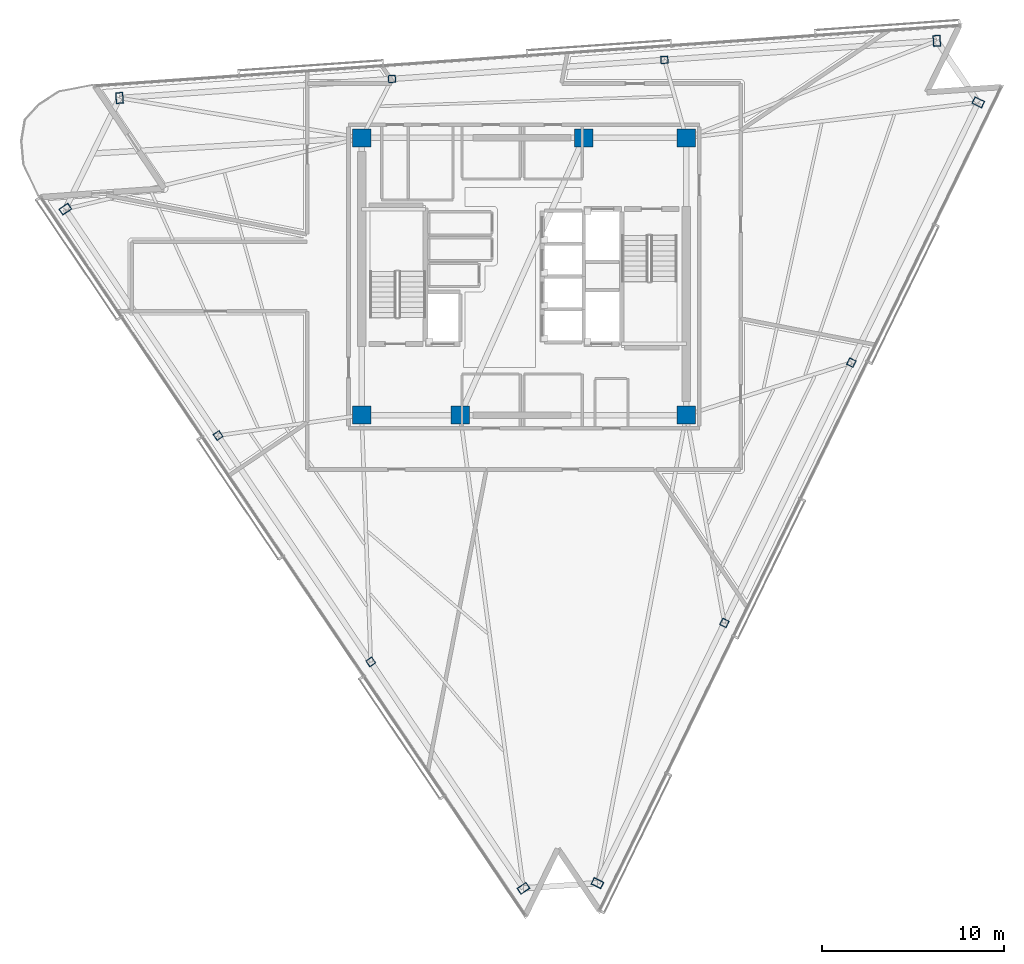
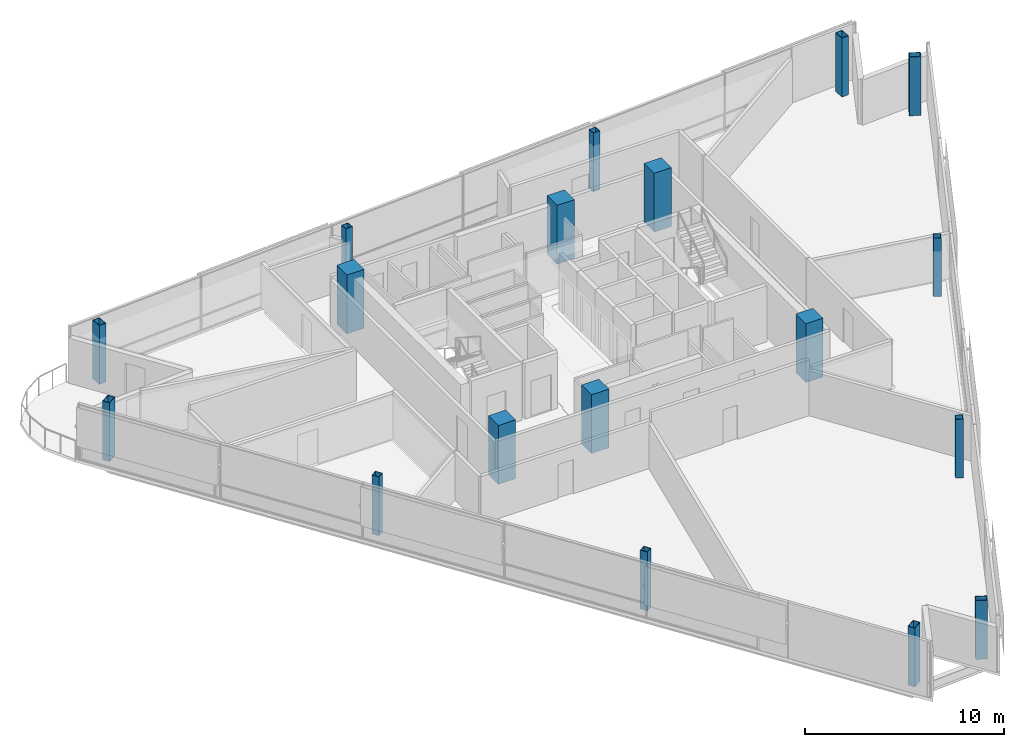
# One storey, part 1 of 16: 18 columns.
"""IFC4 building model written with IfcOpenShell, lengths in metres."""

from ifc_helpers import new_model, si_unit, direction, frame, origin, origin_2d, place, context, subcontext, project, spatial, rectangle, hollow_rectangle, extrude, material, material_profile, profile_set, type_object, element, save


model = new_model("IFC4")

# Units and contexts
model_context = context("Model", 3, precision=1e-05, world=origin(), true_north=direction((0.0, 1.0)))
body_context = subcontext(model_context, "Body", "Model", "MODEL_VIEW")
ifc_project = project(units=[si_unit("LENGTHUNIT", "METRE"), si_unit("AREAUNIT", "SQUARE_METRE"), si_unit("VOLUMEUNIT", "CUBIC_METRE"), si_unit("PLANEANGLEUNIT", "RADIAN"), si_unit("MASSUNIT", "GRAM", prefix="KILO")], contexts=[model_context])

# Site, building, storey
site_placement = place(None, origin())
site = spatial("IfcSite", under=ifc_project, at=site_placement, CompositionType="ELEMENT")
building_placement = place(site_placement, origin())
building = spatial("IfcBuilding", under=site, at=building_placement, Name="Tharavind Bronze Gate", CompositionType="ELEMENT")
storey_placement = place(building_placement, frame((0.0, 0.0, 264.199951171875)))
storey = spatial("IfcBuildingStorey", under=building, at=storey_placement, Name="L68", CompositionType="ELEMENT", Elevation=264.199951171875)

# Columns
ifc_material_1 = material(Name="Steel S460", Category="steel")
ifc_material_profile_1 = material_profile(ifc_material_1, hollow_rectangle(XDim=0.39990234375, YDim=0.60009765625, WallThickness=0.030029296875, at=origin_2d()), Name="RHS600X400X30")
ifc_profile_set_1 = profile_set([ifc_material_profile_1], Name="Steel S460")
column_type_1 = type_object("IfcColumnType", Name="CORNER NOTCH COLUMN RHS600X400", PredefinedType="COLUMN", material=ifc_profile_set_1)
for number, where, z_axis, x_axis, name in (
    (1, (-25.14990234375, 3.694580078125, 0.0), (0.0, 0.0, 1.0), (-0.559192903471, 0.829037572555, 0.0), "L68 perimeter column S1C1"),
    (2, (-0.02880859375, -33.549072265625, 0.0), (0.0, 0.0, 1.0), (-0.559192903471, 0.829037572555, 0.0), "L68 perimeter column S1C4"),
    (3, (4.029296875, -33.26513671875, 0.0), (0.0, 0.0, 1.0), (0.43837271548, 0.898793281196, 0.0), "L68 perimeter column S2C1"),
    (4, (24.91162109375, 9.5498046875, 0.0), (0.0, 0.0, 1.0), (0.43837271548, 0.898793281196, 0.0), "L68 perimeter column S2C4"),
    (5, (22.636962890625, 12.92236328125, 0.0), (0.0, 0.0, 1.0), (0.99756392851, 0.069758214822, 0.0), "L68 perimeter column S3C1"),
    (6, (-22.177490234375, 9.78857421875, 0.0), (0.0, 0.0, 1.0), (0.99756392851, 0.069758214822, 0.0), "L68 perimeter column S3C4"),
):
    element("IfcColumn", number, at=place(storey_placement, frame(where, z_axis=z_axis, x_axis=x_axis)), inside=storey, type_object=column_type_1, Name=name, PredefinedType="COLUMN", context=body_context, shape_type="SweptSolid", body=[
        extrude(hollow_rectangle(XDim=0.39990234375, YDim=0.60009765625, WallThickness=0.030029296875, at=origin_2d()), origin(), (0.0, 0.0, 1.0), 3.60009765625),
    ])
ifc_material_2 = material(Name="Concrete C50/60", Category="concrete")
ifc_material_profile_2 = material_profile(ifc_material_2, rectangle(XDim=1.0, YDim=1.0, at=origin_2d()), Name="RCCOL1000")
ifc_profile_set_2 = profile_set([ifc_material_profile_2], Name="Concrete C50/60")
column_type_2 = type_object("IfcColumnType", Name="MEGA CORE COLUMN 1000", PredefinedType="COLUMN", material=ifc_profile_set_2)
for number, where, z_axis, x_axis, name in (
    (7, (-8.89990234375, -7.60009765625, 0.0), (0.0, 0.0, 1.0), (1.0, 0.0, 0.0), "L68 core mega column MC1"),
    (8, (-3.5, -7.60009765625, 0.0), (0.0, 0.0, 1.0), (1.0, 0.0, 0.0), "L68 core mega column MC2"),
    (9, (8.89990234375, -7.60009765625, 0.0), (0.0, 0.0, 1.0), (1.0, 0.0, 0.0), "L68 core mega column MC3"),
    (10, (8.89990234375, 7.60009765625, 0.0), (0.0, 0.0, 1.0), (1.0, 0.0, 0.0), "L68 core mega column MC4"),
    (11, (3.280029296875, 7.60009765625, 0.0), (0.0, 0.0, 1.0), (1.0, 0.0, 0.0), "L68 core mega column MC5"),
    (12, (-8.89990234375, 7.60009765625, 0.0), (0.0, 0.0, 1.0), (1.0, 0.0, 0.0), "L68 core mega column MC6"),
):
    element("IfcColumn", number, at=place(storey_placement, frame(where, z_axis=z_axis, x_axis=x_axis)), inside=storey, type_object=column_type_2, Name=name, PredefinedType="COLUMN", context=body_context, shape_type="SweptSolid", body=[
        extrude(rectangle(XDim=1.0, YDim=1.0, at=origin_2d()), origin(), (0.0, 0.0, 1.0), 3.60009765625),
    ])
ifc_material_profile_3 = material_profile(ifc_material_1, hollow_rectangle(XDim=0.39990234375, YDim=0.39990234375, WallThickness=0.02490234375, at=origin_2d()), Name="SHS400X25")
ifc_profile_set_3 = profile_set([ifc_material_profile_3], Name="Steel S460")
column_type_3 = type_object("IfcColumnType", Name="PERIMETER BOX COLUMN SHS400", PredefinedType="COLUMN", material=ifc_profile_set_3)
for number, where, z_axis, x_axis, name in (
    (13, (-16.776123046875, -8.719970703125, 0.0), (0.0, 0.0, 1.0), (-0.559192903471, 0.829037572555, 0.0), "L68 perimeter column S1C2"),
    (14, (-8.40234375, -21.134521484375, 0.0), (0.0, 0.0, 1.0), (-0.559192903471, 0.829037572555, 0.0), "L68 perimeter column S1C3"),
    (15, (10.990234375, -18.99365234375, 0.0), (0.0, 0.0, 1.0), (0.43837271548, 0.898793281196, 0.0), "L68 perimeter column S2C2"),
    (16, (17.950927734375, -4.721923828125, 0.0), (0.0, 0.0, 1.0), (0.43837271548, 0.898793281196, 0.0), "L68 perimeter column S2C3"),
    (17, (7.69873046875, 11.877685546875, 0.0), (0.0, 0.0, 1.0), (0.99756392851, 0.069758214822, 0.0), "L68 perimeter column S3C2"),
    (18, (-7.239501953125, 10.8330078125, 0.0), (0.0, 0.0, 1.0), (0.99756392851, 0.069758214822, 0.0), "L68 perimeter column S3C3"),
):
    element("IfcColumn", number, at=place(storey_placement, frame(where, z_axis=z_axis, x_axis=x_axis)), inside=storey, type_object=column_type_3, Name=name, PredefinedType="COLUMN", context=body_context, shape_type="SweptSolid", body=[
        extrude(hollow_rectangle(XDim=0.39990234375, YDim=0.39990234375, WallThickness=0.02490234375, at=origin_2d()), origin(), (0.0, 0.0, 1.0), 3.60009765625),
    ])

save(model, "model.ifc")
